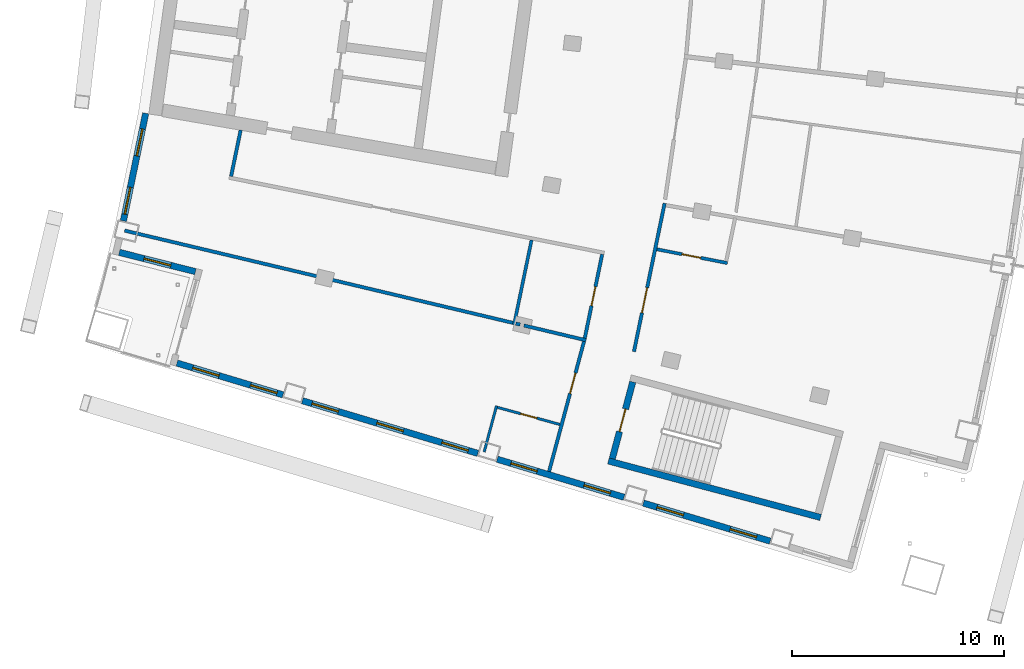
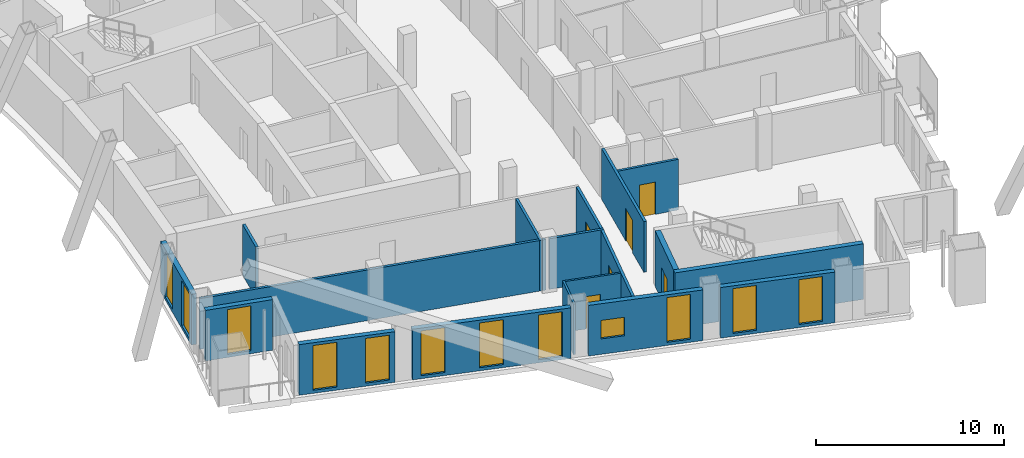
# One storey, part 9 of 19: 19 walls, 12 windows, 6 doors, 18 openings.
"""IFC4 building model written with IfcOpenShell, lengths in metres."""

from ifc_helpers import new_model, si_unit, direction, frame, frame_2d, origin, place, context, subcontext, project, spatial, rectangle, extrude, material, layer, layer_set, type_object, element, fill, save


model = new_model("IFC4")

# Units and contexts
model_context = context("Model", 3, precision=1e-05, world=origin(), true_north=direction((0.0, 1.0)))
body_context = subcontext(model_context, "Body", "Model", "MODEL_VIEW")
ifc_project = project(units=[si_unit("LENGTHUNIT", "METRE"), si_unit("AREAUNIT", "SQUARE_METRE"), si_unit("VOLUMEUNIT", "CUBIC_METRE"), si_unit("PLANEANGLEUNIT", "RADIAN"), si_unit("MASSUNIT", "GRAM", prefix="KILO")], contexts=[model_context])

# Site, building, storey
site_placement = place(None, origin())
site = spatial("IfcSite", under=ifc_project, at=site_placement, CompositionType="ELEMENT")
building_placement = place(site_placement, origin())
building = spatial("IfcBuilding", under=site, at=building_placement, Name="Alderwake Tower", CompositionType="ELEMENT")
storey_placement = place(building_placement, frame((0.0, 0.0, 221.60009765625)))
storey = spatial("IfcBuildingStorey", under=building, at=storey_placement, Name="L55", CompositionType="ELEMENT", Elevation=221.60009765625)

# Wall
ifc_material_1 = material(Name="Concrete C70/85", Category="concrete")
ifc_layer_1 = layer(ifc_material_1, 0.300048828125)
ifc_layer_set_1 = layer_set([ifc_layer_1], Name="Core wall stair enclosure 300 C70-85")
wall_type_1 = type_object("IfcWallType", Name="Core wall stair enclosure 300 C70-85", PredefinedType="SHEAR", material=ifc_layer_set_1)
wall_1_placement = place(storey_placement, frame((36.71142578125, 27.817626953125, 0.0), z_axis=(0.0, 0.0, 1.0), x_axis=(0.966309214305, -0.257383958996, 0.0)))
element("IfcWall", 1, at=wall_1_placement, inside=storey, type_object=wall_type_1, Name="Core wall CW.088", PredefinedType="SHEAR", context=body_context, shape_type="SweptSolid", body=[
    extrude(rectangle(XDim=10.360107421875, YDim=0.300048828125, at=frame_2d((5.18017578125, 0.0))), origin(), (0.0, 0.0, 1.0), 3.599853515625),
])

# Wall, opening, door
wall_2_placement = place(storey_placement, frame((36.89501953125, 27.923828125, 0.0), z_axis=(0.0, 0.0, 1.0), x_axis=(0.257350630826, 0.966318090907, 0.0)))
wall_2 = element("IfcWall", 2, at=wall_2_placement, inside=storey, type_object=wall_type_1, Name="Core wall CW.087", PredefinedType="SHEAR", context=body_context, shape_type="SweptSolid", body=[
    extrude(rectangle(XDim=3.75, YDim=0.300048828125, at=frame_2d((1.875, 0.0))), origin(), (0.0, 0.0, 1.0), 3.599853515625),
])
opening_1_placement = place(wall_2_placement, frame((1.324951171875, 0.0, 0.0)))
opening_1 = element("IfcOpeningElement", 3, at=opening_1_placement, cuts=wall_2, Name="Opening C065", PredefinedType="OPENING", context=body_context, shape_type="SweptSolid", body=[
    extrude(rectangle(XDim=1.10009765625, YDim=2.10009765625, at=frame_2d((0.550048828125, 1.050048828125))), frame((0.0, 0.159912109375, 0.0), z_axis=(0.0, -1.0, 0.0), x_axis=(1.0, 0.0, 0.0)), (0.0, 0.0, 1.0), 0.320068359375),
])
ifc_material_2 = material(Name="Steel-framed fire door leaf", Category="steel")
door_type_1 = type_object("IfcDoorType", Name="Core stair door 1100 fire-rated", OperationType="SINGLE_SWING_LEFT", PredefinedType="DOOR", material=ifc_material_2)
door_1_placement = place(opening_1_placement, origin())
door_1 = element("IfcDoor", 4, at=door_1_placement, inside=storey, type_object=door_type_1, Name="Stair door", OperationType="SINGLE_SWING_RIGHT", OverallHeight=2.10009765625, OverallWidth=1.10009765625, PredefinedType="DOOR", context=body_context, shape_type="SweptSolid", body=[
    extrude(rectangle(XDim=1.10009765625, YDim=2.10009765625, at=frame_2d((0.550048828125, 1.050048828125))), frame((0.0, 0.02490234375, 0.0), z_axis=(0.0, -1.0, 0.0), x_axis=(1.0, 0.0, 0.0)), (0.0, 0.0, 1.0), 0.050048828125),
])
fill(opening_1, door_1)

# Walls
ifc_material_3 = material(Name="Gypsum board on metal studs, rated")
ifc_layer_2 = layer(ifc_material_3, 0.159912109375)
ifc_layer_set_2 = layer_set([ifc_layer_2], Name="Corridor wall 160")
wall_type_2 = type_object("IfcWallType", Name="Corridor wall 160", PredefinedType="PARTITIONING", material=ifc_layer_set_2)
wall_3_placement = place(storey_placement, frame((13.884033203125, 38.68798828125, 0.0), z_axis=(0.0, 0.0, 1.0), x_axis=(0.972897690171, -0.231235993004, 0.0)))
element("IfcWall", 5, at=wall_3_placement, inside=storey, type_object=wall_type_2, Name="WL/L55/W10", PredefinedType="PARTITIONING", context=body_context, shape_type="SweptSolid", body=[
    extrude(rectangle(XDim=18.8271484375, YDim=0.159912109375, at=frame_2d((9.41357421875, 0.0))), origin(), (0.0, 0.0, 1.0), 3.27978515625),
])
wall_4_placement = place(storey_placement, frame((19.35888671875, 43.430908203125, 0.0), z_axis=(0.0, 0.0, 1.0), x_axis=(-0.202554916658, -0.979270905183, 0.0)))
element("IfcWall", 6, at=wall_4_placement, inside=storey, type_object=wall_type_2, Name="WL/L55/W13", PredefinedType="PARTITIONING", context=body_context, shape_type="SweptSolid", body=[
    extrude(rectangle(XDim=2.229736328125, YDim=0.159912109375, at=frame_2d((1.11474609375, 0.0))), origin(), (0.0, 0.0, 1.0), 3.27978515625),
])
wall_5_placement = place(storey_placement, frame((32.343994140625, 34.300048828125, 0.0), z_axis=(0.0, 0.0, 1.0), x_axis=(0.974391195695, -0.224859506699, 0.0)))
element("IfcWall", 7, at=wall_5_placement, inside=storey, type_object=wall_type_2, Name="WL/L55/W15", PredefinedType="PARTITIONING", context=body_context, shape_type="SweptSolid", body=[
    extrude(rectangle(XDim=0.205322265625, YDim=0.159912109375, at=frame_2d((0.1025390625, 0.0))), origin(), (0.0, 0.0, 1.0), 3.27978515625),
])
wall_6_placement = place(storey_placement, frame((32.725341796875, 34.210205078125, 0.0), z_axis=(0.0, 0.0, 1.0), x_axis=(0.972838360224, -0.231485474442, 0.0)))
element("IfcWall", 8, at=wall_6_placement, inside=storey, type_object=wall_type_2, Name="WL/L55/W16", PredefinedType="PARTITIONING", context=body_context, shape_type="SweptSolid", body=[
    extrude(rectangle(XDim=3.01416015625, YDim=0.159912109375, at=frame_2d((1.507080078125, 0.0))), origin(), (0.0, 0.0, 1.0), 3.27978515625),
])

# Wall, opening, door
wall_7_placement = place(storey_placement, frame((33.912109375, 27.321044921875, 0.0), z_axis=(0.0, 0.0, 1.0), x_axis=(0.259370874835, 0.965777794986, 0.0)))
wall_7 = element("IfcWall", 9, at=wall_7_placement, inside=storey, type_object=wall_type_2, Name="WL/L55/W18", PredefinedType="PARTITIONING", context=body_context, shape_type="SweptSolid", body=[
    extrude(rectangle(XDim=6.349853515625, YDim=0.159912109375, at=frame_2d((3.1748046875, 0.0))), origin(), (0.0, 0.0, 1.0), 3.27978515625),
])
opening_2_placement = place(wall_7_placement, frame((3.811279296875, 0.0, 0.0)))
opening_2 = element("IfcOpeningElement", 10, at=opening_2_placement, cuts=wall_7, Name="Opening R16-U09.1", PredefinedType="OPENING", context=body_context, shape_type="SweptSolid", body=[
    extrude(rectangle(XDim=1.0, YDim=2.10009765625, at=frame_2d((0.5, 1.050048828125))), frame((0.0, 0.08984375, 0.0), z_axis=(0.0, -1.0, 0.0), x_axis=(1.0, 0.0, 0.0)), (0.0, 0.0, 1.0), 0.179931640625),
])
ifc_material_4 = material(Name="Solid timber leaf in steel frame", Category="steel")
door_type_2 = type_object("IfcDoorType", Name="Flat entrance door 1000 fire-rated", OperationType="SINGLE_SWING_LEFT", PredefinedType="DOOR", material=ifc_material_4)
door_2_placement = place(opening_2_placement, origin())
door_2 = element("IfcDoor", 11, at=door_2_placement, inside=storey, type_object=door_type_2, Name="DR/L55/U09.1", OperationType="SINGLE_SWING_LEFT", OverallHeight=2.10009765625, OverallWidth=1.0, PredefinedType="DOOR", context=body_context, shape_type="SweptSolid", body=[
    extrude(rectangle(XDim=1.0, YDim=2.10009765625, at=frame_2d((0.5, 1.050048828125))), frame((0.0, 0.02490234375, 0.0), z_axis=(0.0, -1.0, 0.0), x_axis=(1.0, 0.0, 0.0)), (0.0, 0.0, 1.0), 0.050048828125),
])
fill(opening_2, door_2)

wall_8_placement = place(storey_placement, frame((35.59619140625, 33.609375, 0.0), z_axis=(0.0, 0.0, 1.0), x_axis=(0.203245920818, 0.979127721838, 0.0)))
wall_8 = element("IfcWall", 12, at=wall_8_placement, inside=storey, type_object=wall_type_2, Name="WL/L55/W20", PredefinedType="PARTITIONING", context=body_context, shape_type="SweptSolid", body=[
    extrude(rectangle(XDim=4.046875, YDim=0.159912109375, at=frame_2d((2.0234375, 0.0))), origin(), (0.0, 0.0, 1.0), 3.27978515625),
])
opening_3_placement = place(wall_8_placement, frame((1.573486328125, 0.0, 0.0)))
opening_3 = element("IfcOpeningElement", 13, at=opening_3_placement, cuts=wall_8, Name="Opening R16-SBS2", PredefinedType="OPENING", context=body_context, shape_type="SweptSolid", body=[
    extrude(rectangle(XDim=0.89990234375, YDim=2.10009765625, at=frame_2d((0.449951171875, 1.050048828125))), frame((0.0, 0.08984375, 0.0), z_axis=(0.0, -1.0, 0.0), x_axis=(1.0, 0.0, 0.0)), (0.0, 0.0, 1.0), 0.179931640625),
])
ifc_material_5 = material(Name="Painted timber leaf", Category="wood")
door_type_3 = type_object("IfcDoorType", Name="Room door 900", OperationType="SINGLE_SWING_LEFT", PredefinedType="DOOR", material=ifc_material_5)
door_3_placement = place(opening_3_placement, origin())
door_3 = element("IfcDoor", 14, at=door_3_placement, inside=storey, type_object=door_type_3, Name="DR/L55/SBS2", OperationType="SINGLE_SWING_LEFT", OverallHeight=2.10009765625, OverallWidth=0.89990234375, PredefinedType="DOOR", context=body_context, shape_type="SweptSolid", body=[
    extrude(rectangle(XDim=0.89990234375, YDim=2.10009765625, at=frame_2d((0.449951171875, 1.050048828125))), frame((0.0, 0.02490234375, 0.0), z_axis=(0.0, -1.0, 0.0), x_axis=(1.0, 0.0, 0.0)), (0.0, 0.0, 1.0), 0.050048828125),
])
fill(opening_3, door_3)

wall_9_placement = place(storey_placement, frame((39.3642578125, 39.975341796875, 0.0), z_axis=(0.0, 0.0, 1.0), x_axis=(-0.202490391407, -0.979284249535, 0.0)))
wall_9 = element("IfcWall", 15, at=wall_9_placement, inside=storey, type_object=wall_type_2, Name="WL/L55/W22", PredefinedType="PARTITIONING", context=body_context, shape_type="SweptSolid", body=[
    extrude(rectangle(XDim=7.147216796875, YDim=0.159912109375, at=frame_2d((3.57373046875, 0.0))), origin(), (0.0, 0.0, 1.0), 3.27978515625),
])
opening_4_placement = place(wall_9_placement, frame((4.073486328125, 0.0, 0.0)))
opening_4 = element("IfcOpeningElement", 16, at=opening_4_placement, cuts=wall_9, Name="Opening R16-AM1.1", PredefinedType="OPENING", context=body_context, shape_type="SweptSolid", body=[
    extrude(rectangle(XDim=1.199951171875, YDim=2.10009765625, at=frame_2d((0.60009765625, 1.050048828125))), frame((0.0, 0.08984375, 0.0), z_axis=(0.0, -1.0, 0.0), x_axis=(1.0, 0.0, 0.0)), (0.0, 0.0, 1.0), 0.179931640625),
])
ifc_material_6 = material(Name="Steel-framed fire door leaf", Category="steel")
door_type_4 = type_object("IfcDoorType", Name="Lobby door 1200 fire-rated", OperationType="SINGLE_SWING_LEFT", PredefinedType="DOOR", material=ifc_material_6)
door_4_placement = place(opening_4_placement, origin())
door_4 = element("IfcDoor", 17, at=door_4_placement, inside=storey, type_object=door_type_4, Name="DR/L55/AM1.1", OperationType="SINGLE_SWING_LEFT", OverallHeight=2.10009765625, OverallWidth=1.199951171875, PredefinedType="DOOR", context=body_context, shape_type="SweptSolid", body=[
    extrude(rectangle(XDim=1.199951171875, YDim=2.10009765625, at=frame_2d((0.60009765625, 1.050048828125))), frame((0.0, 0.02490234375, 0.0), z_axis=(0.0, -1.0, 0.0), x_axis=(1.0, 0.0, 0.0)), (0.0, 0.0, 1.0), 0.050048828125),
])
fill(opening_4, door_4)

# Wall, openings, windows
ifc_material_7 = material(Name="Precast concrete C50/60 spandrel panel", Category="concrete")
ifc_layer_3 = layer(ifc_material_7, 0.300048828125)
ifc_layer_set_3 = layer_set([ifc_layer_3], Name="External wall EW1 Precast concrete C50/60 spandrel")
wall_type_3 = type_object("IfcWallType", Name="External wall EW1 Precast concrete C50/60 spandrel", PredefinedType="SOLIDWALL", material=ifc_layer_set_3)
wall_10_placement = place(storey_placement, frame((14.878173828125, 44.223388671875, 0.0), z_axis=(0.0, 0.0, 1.0), x_axis=(-0.202730149235, -0.979234643276, 0.0)))
wall_10 = element("IfcWall", 18, at=wall_10_placement, inside=storey, type_object=wall_type_3, Name="External wall 32", PredefinedType="SOLIDWALL", context=body_context, shape_type="SweptSolid", body=[
    extrude(rectangle(XDim=5.185546875, YDim=0.300048828125, at=frame_2d((2.5927734375, 0.0))), origin(), (0.0, 0.0, 1.0), 3.27978515625),
])
opening_5_placement = place(wall_10_placement, frame((0.75634765625, 0.0, 0.199951171875)))
opening_5 = element("IfcOpeningElement", 19, at=opening_5_placement, cuts=wall_10, Name="Opening W1", PredefinedType="OPENING", context=body_context, shape_type="SweptSolid", body=[
    extrude(rectangle(XDim=1.300048828125, YDim=2.89990234375, at=frame_2d((0.64990234375, 1.449951171875))), frame((0.0, 0.159912109375, 0.0), z_axis=(0.0, -1.0, 0.0), x_axis=(1.0, 0.0, 0.0)), (0.0, 0.0, 1.0), 0.320068359375),
])
opening_6_placement = place(wall_10_placement, frame((3.569091796875, 0.0, 0.199951171875)))
opening_6 = element("IfcOpeningElement", 20, at=opening_6_placement, cuts=wall_10, Name="Opening W1", PredefinedType="OPENING", context=body_context, shape_type="SweptSolid", body=[
    extrude(rectangle(XDim=1.300048828125, YDim=2.89990234375, at=frame_2d((0.64990234375, 1.449951171875))), frame((0.0, 0.159912109375, 0.0), z_axis=(0.0, -1.0, 0.0), x_axis=(1.0, 0.0, 0.0)), (0.0, 0.0, 1.0), 0.320068359375),
])
ifc_material_8 = material(Name="Bronze tinted glass in aluminium frame", Category="aluminium")
window_type_1 = type_object("IfcWindowType", Name="Window W1 tall fixed and vent", PartitioningType="DOUBLE_PANEL_VERTICAL", PredefinedType="WINDOW", material=ifc_material_8)
window_1_placement = place(opening_5_placement, origin())
window_1 = element("IfcWindow", 21, at=window_1_placement, inside=storey, type_object=window_type_1, Name="Window W1 tall fixed and vent", OverallHeight=2.89990234375, OverallWidth=1.300048828125, PartitioningType="DOUBLE_PANEL_VERTICAL", PredefinedType="WINDOW", context=body_context, shape_type="SweptSolid", body=[
    extrude(rectangle(XDim=1.300048828125, YDim=2.89990234375, at=frame_2d((0.64990234375, 1.449951171875))), frame((0.0, 0.030029296875, 0.0), z_axis=(0.0, -1.0, 0.0), x_axis=(1.0, 0.0, 0.0)), (0.0, 0.0, 1.0), 0.06005859375),
])
fill(opening_5, window_1)
window_2_placement = place(opening_6_placement, origin())
window_2 = element("IfcWindow", 22, at=window_2_placement, inside=storey, type_object=window_type_1, Name="Window W1 tall fixed and vent", OverallHeight=2.89990234375, OverallWidth=1.300048828125, PartitioningType="DOUBLE_PANEL_VERTICAL", PredefinedType="WINDOW", context=body_context, shape_type="SweptSolid", body=[
    extrude(rectangle(XDim=1.300048828125, YDim=2.89990234375, at=frame_2d((0.64990234375, 1.449951171875))), frame((0.0, 0.030029296875, 0.0), z_axis=(0.0, -1.0, 0.0), x_axis=(1.0, 0.0, 0.0)), (0.0, 0.0, 1.0), 0.06005859375),
])
fill(opening_6, window_2)

# Wall, opening, window
ifc_material_9 = material(Name="Bronze metal cladding on lightweight framing")
ifc_layer_4 = layer(ifc_material_9, 0.300048828125)
ifc_layer_set_4 = layer_set([ifc_layer_4], Name="External wall EW2 bronze metal cladding")
wall_type_4 = type_object("IfcWallType", Name="External wall EW2 bronze metal cladding", PredefinedType="SOLIDWALL", material=ifc_layer_set_4)
wall_11_placement = place(storey_placement, frame((13.633056640625, 37.660400390625, 0.0), z_axis=(0.0, 0.0, 1.0), x_axis=(0.969417366605, -0.245417948254, 0.0)))
wall_11 = element("IfcWall", 23, at=wall_11_placement, inside=storey, type_object=wall_type_4, Name="External wall 2", PredefinedType="SOLIDWALL", context=body_context, shape_type="SweptSolid", body=[
    extrude(rectangle(XDim=3.70556640625, YDim=0.300048828125, at=frame_2d((1.852783203125, 0.0))), origin(), (0.0, 0.0, 1.0), 3.27978515625),
])
opening_7_placement = place(wall_11_placement, frame((1.202880859375, 0.0, 0.199951171875)))
opening_7 = element("IfcOpeningElement", 24, at=opening_7_placement, cuts=wall_11, Name="Opening W1", PredefinedType="OPENING", context=body_context, shape_type="SweptSolid", body=[
    extrude(rectangle(XDim=1.300048828125, YDim=2.89990234375, at=frame_2d((0.64990234375, 1.449951171875))), frame((0.0, 0.159912109375, 0.0), z_axis=(0.0, -1.0, 0.0), x_axis=(1.0, 0.0, 0.0)), (0.0, 0.0, 1.0), 0.320068359375),
])
window_3_placement = place(opening_7_placement, origin())
window_3 = element("IfcWindow", 25, at=window_3_placement, inside=storey, type_object=window_type_1, Name="Window W1 tall fixed and vent", OverallHeight=2.89990234375, OverallWidth=1.300048828125, PartitioningType="DOUBLE_PANEL_VERTICAL", PredefinedType="WINDOW", context=body_context, shape_type="SweptSolid", body=[
    extrude(rectangle(XDim=1.300048828125, YDim=2.89990234375, at=frame_2d((0.64990234375, 1.449951171875))), frame((0.0, 0.030029296875, 0.0), z_axis=(0.0, -1.0, 0.0), x_axis=(1.0, 0.0, 0.0)), (0.0, 0.0, 1.0), 0.06005859375),
])
fill(opening_7, window_3)

# Wall, openings, windows
wall_12_placement = place(storey_placement, frame((16.352783203125, 32.4375, 0.0), z_axis=(0.0, 0.0, 1.0), x_axis=(0.95777225046, -0.287527939944, 0.0)))
wall_12 = element("IfcWall", 26, at=wall_12_placement, inside=storey, type_object=wall_type_4, Name="External wall 4", PredefinedType="SOLIDWALL", context=body_context, shape_type="SweptSolid", body=[
    extrude(rectangle(XDim=5.224609375, YDim=0.300048828125, at=frame_2d((2.6123046875, 0.0))), origin(), (0.0, 0.0, 1.0), 3.27978515625),
])
opening_8_placement = place(wall_12_placement, frame((0.775390625, 0.0, 0.199951171875)))
opening_8 = element("IfcOpeningElement", 27, at=opening_8_placement, cuts=wall_12, Name="Opening W1", PredefinedType="OPENING", context=body_context, shape_type="SweptSolid", body=[
    extrude(rectangle(XDim=1.300048828125, YDim=2.89990234375, at=frame_2d((0.64990234375, 1.449951171875))), frame((0.0, 0.159912109375, 0.0), z_axis=(0.0, -1.0, 0.0), x_axis=(1.0, 0.0, 0.0)), (0.0, 0.0, 1.0), 0.320068359375),
])
opening_9_placement = place(wall_12_placement, frame((3.626220703125, 0.0, 0.199951171875)))
opening_9 = element("IfcOpeningElement", 28, at=opening_9_placement, cuts=wall_12, Name="Opening W1", PredefinedType="OPENING", context=body_context, shape_type="SweptSolid", body=[
    extrude(rectangle(XDim=1.300048828125, YDim=2.89990234375, at=frame_2d((0.64990234375, 1.449951171875))), frame((0.0, 0.159912109375, 0.0), z_axis=(0.0, -1.0, 0.0), x_axis=(1.0, 0.0, 0.0)), (0.0, 0.0, 1.0), 0.320068359375),
])
window_4_placement = place(opening_8_placement, origin())
window_4 = element("IfcWindow", 29, at=window_4_placement, inside=storey, type_object=window_type_1, Name="Window W1 tall fixed and vent", OverallHeight=2.89990234375, OverallWidth=1.300048828125, PartitioningType="DOUBLE_PANEL_VERTICAL", PredefinedType="WINDOW", context=body_context, shape_type="SweptSolid", body=[
    extrude(rectangle(XDim=1.300048828125, YDim=2.89990234375, at=frame_2d((0.64990234375, 1.449951171875))), frame((0.0, 0.030029296875, 0.0), z_axis=(0.0, -1.0, 0.0), x_axis=(1.0, 0.0, 0.0)), (0.0, 0.0, 1.0), 0.06005859375),
])
fill(opening_8, window_4)
window_5_placement = place(opening_9_placement, origin())
window_5 = element("IfcWindow", 30, at=window_5_placement, inside=storey, type_object=window_type_1, Name="Window W1 tall fixed and vent", OverallHeight=2.89990234375, OverallWidth=1.300048828125, PartitioningType="DOUBLE_PANEL_VERTICAL", PredefinedType="WINDOW", context=body_context, shape_type="SweptSolid", body=[
    extrude(rectangle(XDim=1.300048828125, YDim=2.89990234375, at=frame_2d((0.64990234375, 1.449951171875))), frame((0.0, 0.030029296875, 0.0), z_axis=(0.0, -1.0, 0.0), x_axis=(1.0, 0.0, 0.0)), (0.0, 0.0, 1.0), 0.06005859375),
])
fill(opening_9, window_5)

wall_13_placement = place(storey_placement, frame((22.270751953125, 30.660888671875, 0.0), z_axis=(0.0, 0.0, 1.0), x_axis=(0.957767198916, -0.287544766394, 0.0)))
wall_13 = element("IfcWall", 31, at=wall_13_placement, inside=storey, type_object=wall_type_4, Name="External wall 5", PredefinedType="SOLIDWALL", context=body_context, shape_type="SweptSolid", body=[
    extrude(rectangle(XDim=8.64599609375, YDim=0.300048828125, at=frame_2d((4.322998046875, 0.0))), origin(), (0.0, 0.0, 1.0), 3.27978515625),
])
opening_10_placement = place(wall_13_placement, frame((0.472900390625, 0.0, 0.199951171875)))
opening_10 = element("IfcOpeningElement", 32, at=opening_10_placement, cuts=wall_13, Name="Opening W1", PredefinedType="OPENING", context=body_context, shape_type="SweptSolid", body=[
    extrude(rectangle(XDim=1.300048828125, YDim=2.89990234375, at=frame_2d((0.64990234375, 1.449951171875))), frame((0.0, 0.159912109375, 0.0), z_axis=(0.0, -1.0, 0.0), x_axis=(1.0, 0.0, 0.0)), (0.0, 0.0, 1.0), 0.320068359375),
])
opening_11_placement = place(wall_13_placement, frame((3.673095703125, 0.0, 0.199951171875)))
opening_11 = element("IfcOpeningElement", 33, at=opening_11_placement, cuts=wall_13, Name="Opening W1", PredefinedType="OPENING", context=body_context, shape_type="SweptSolid", body=[
    extrude(rectangle(XDim=1.300048828125, YDim=2.89990234375, at=frame_2d((0.64990234375, 1.449951171875))), frame((0.0, 0.159912109375, 0.0), z_axis=(0.0, -1.0, 0.0), x_axis=(1.0, 0.0, 0.0)), (0.0, 0.0, 1.0), 0.320068359375),
])
opening_12_placement = place(wall_13_placement, frame((6.873046875, 0.0, 0.199951171875)))
opening_12 = element("IfcOpeningElement", 34, at=opening_12_placement, cuts=wall_13, Name="Opening W1", PredefinedType="OPENING", context=body_context, shape_type="SweptSolid", body=[
    extrude(rectangle(XDim=1.300048828125, YDim=2.89990234375, at=frame_2d((0.64990234375, 1.449951171875))), frame((0.0, 0.159912109375, 0.0), z_axis=(0.0, -1.0, 0.0), x_axis=(1.0, 0.0, 0.0)), (0.0, 0.0, 1.0), 0.320068359375),
])
window_6_placement = place(opening_10_placement, origin())
window_6 = element("IfcWindow", 35, at=window_6_placement, inside=storey, type_object=window_type_1, Name="Window W1 tall fixed and vent", OverallHeight=2.89990234375, OverallWidth=1.300048828125, PartitioningType="DOUBLE_PANEL_VERTICAL", PredefinedType="WINDOW", context=body_context, shape_type="SweptSolid", body=[
    extrude(rectangle(XDim=1.300048828125, YDim=2.89990234375, at=frame_2d((0.64990234375, 1.449951171875))), frame((0.0, 0.030029296875, 0.0), z_axis=(0.0, -1.0, 0.0), x_axis=(1.0, 0.0, 0.0)), (0.0, 0.0, 1.0), 0.06005859375),
])
fill(opening_10, window_6)
window_7_placement = place(opening_11_placement, origin())
window_7 = element("IfcWindow", 36, at=window_7_placement, inside=storey, type_object=window_type_1, Name="Window W1 tall fixed and vent", OverallHeight=2.89990234375, OverallWidth=1.300048828125, PartitioningType="DOUBLE_PANEL_VERTICAL", PredefinedType="WINDOW", context=body_context, shape_type="SweptSolid", body=[
    extrude(rectangle(XDim=1.300048828125, YDim=2.89990234375, at=frame_2d((0.64990234375, 1.449951171875))), frame((0.0, 0.030029296875, 0.0), z_axis=(0.0, -1.0, 0.0), x_axis=(1.0, 0.0, 0.0)), (0.0, 0.0, 1.0), 0.06005859375),
])
fill(opening_11, window_7)
window_8_placement = place(opening_12_placement, origin())
window_8 = element("IfcWindow", 37, at=window_8_placement, inside=storey, type_object=window_type_1, Name="Window W1 tall fixed and vent", OverallHeight=2.89990234375, OverallWidth=1.300048828125, PartitioningType="DOUBLE_PANEL_VERTICAL", PredefinedType="WINDOW", context=body_context, shape_type="SweptSolid", body=[
    extrude(rectangle(XDim=1.300048828125, YDim=2.89990234375, at=frame_2d((0.64990234375, 1.449951171875))), frame((0.0, 0.030029296875, 0.0), z_axis=(0.0, -1.0, 0.0), x_axis=(1.0, 0.0, 0.0)), (0.0, 0.0, 1.0), 0.06005859375),
])
fill(opening_12, window_8)

wall_14_placement = place(storey_placement, frame((31.465087890625, 27.900390625, 0.0), z_axis=(0.0, 0.0, 1.0), x_axis=(0.95776710022, -0.287545095136, 0.0)))
wall_14 = element("IfcWall", 38, at=wall_14_placement, inside=storey, type_object=wall_type_4, Name="External wall 6", PredefinedType="SOLIDWALL", context=body_context, shape_type="SweptSolid", body=[
    extrude(rectangle(XDim=6.24658203125, YDim=0.300048828125, at=frame_2d((3.123291015625, 0.0))), origin(), (0.0, 0.0, 1.0), 3.27978515625),
])
opening_13_placement = place(wall_14_placement, frame((0.673095703125, 0.0, 1.0)))
opening_13 = element("IfcOpeningElement", 39, at=opening_13_placement, cuts=wall_14, Name="Opening W2", PredefinedType="OPENING", context=body_context, shape_type="SweptSolid", body=[
    extrude(rectangle(XDim=1.300048828125, YDim=1.199951171875, at=frame_2d((0.64990234375, 0.60009765625))), frame((0.0, 0.159912109375, 0.0), z_axis=(0.0, -1.0, 0.0), x_axis=(1.0, 0.0, 0.0)), (0.0, 0.0, 1.0), 0.320068359375),
])
opening_14_placement = place(wall_14_placement, frame((4.273193359375, 0.0, 0.199951171875)))
opening_14 = element("IfcOpeningElement", 40, at=opening_14_placement, cuts=wall_14, Name="Opening W1", PredefinedType="OPENING", context=body_context, shape_type="SweptSolid", body=[
    extrude(rectangle(XDim=1.300048828125, YDim=2.89990234375, at=frame_2d((0.64990234375, 1.449951171875))), frame((0.0, 0.159912109375, 0.0), z_axis=(0.0, -1.0, 0.0), x_axis=(1.0, 0.0, 0.0)), (0.0, 0.0, 1.0), 0.320068359375),
])
window_9_placement = place(opening_14_placement, origin())
window_9 = element("IfcWindow", 41, at=window_9_placement, inside=storey, type_object=window_type_1, Name="Window W1 tall fixed and vent", OverallHeight=2.89990234375, OverallWidth=1.300048828125, PartitioningType="DOUBLE_PANEL_VERTICAL", PredefinedType="WINDOW", context=body_context, shape_type="SweptSolid", body=[
    extrude(rectangle(XDim=1.300048828125, YDim=2.89990234375, at=frame_2d((0.64990234375, 1.449951171875))), frame((0.0, 0.030029296875, 0.0), z_axis=(0.0, -1.0, 0.0), x_axis=(1.0, 0.0, 0.0)), (0.0, 0.0, 1.0), 0.06005859375),
])
fill(opening_14, window_9)
ifc_material_10 = material(Name="Bronze tinted glass in aluminium frame", Category="aluminium")
window_type_2 = type_object("IfcWindowType", Name="Window W2 kitchen and bath", PartitioningType="SINGLE_PANEL", PredefinedType="WINDOW", material=ifc_material_10)
window_10_placement = place(opening_13_placement, origin())
window_10 = element("IfcWindow", 42, at=window_10_placement, inside=storey, type_object=window_type_2, Name="Window W2 kitchen and bath", OverallHeight=1.199951171875, OverallWidth=1.300048828125, PartitioningType="SINGLE_PANEL", PredefinedType="WINDOW", context=body_context, shape_type="SweptSolid", body=[
    extrude(rectangle(XDim=1.300048828125, YDim=1.199951171875, at=frame_2d((0.64990234375, 0.60009765625))), frame((0.0, 0.030029296875, 0.0), z_axis=(0.0, -1.0, 0.0), x_axis=(1.0, 0.0, 0.0)), (0.0, 0.0, 1.0), 0.06005859375),
])
fill(opening_13, window_10)

wall_15_placement = place(storey_placement, frame((38.361083984375, 25.830078125, 0.0), z_axis=(0.0, 0.0, 1.0), x_axis=(0.95776710022, -0.287545095136, 0.0)))
wall_15 = element("IfcWall", 43, at=wall_15_placement, inside=storey, type_object=wall_type_4, Name="External wall 7", PredefinedType="SOLIDWALL", context=body_context, shape_type="SweptSolid", body=[
    extrude(rectangle(XDim=6.24658203125, YDim=0.300048828125, at=frame_2d((3.123291015625, 0.0))), origin(), (0.0, 0.0, 1.0), 3.27978515625),
])
opening_15_placement = place(wall_15_placement, frame((0.673095703125, 0.0, 0.199951171875)))
opening_15 = element("IfcOpeningElement", 44, at=opening_15_placement, cuts=wall_15, Name="Opening W1", PredefinedType="OPENING", context=body_context, shape_type="SweptSolid", body=[
    extrude(rectangle(XDim=1.300048828125, YDim=2.89990234375, at=frame_2d((0.64990234375, 1.449951171875))), frame((0.0, 0.159912109375, 0.0), z_axis=(0.0, -1.0, 0.0), x_axis=(1.0, 0.0, 0.0)), (0.0, 0.0, 1.0), 0.320068359375),
])
opening_16_placement = place(wall_15_placement, frame((4.273193359375, 0.0, 0.199951171875)))
opening_16 = element("IfcOpeningElement", 45, at=opening_16_placement, cuts=wall_15, Name="Opening W1", PredefinedType="OPENING", context=body_context, shape_type="SweptSolid", body=[
    extrude(rectangle(XDim=1.300048828125, YDim=2.89990234375, at=frame_2d((0.64990234375, 1.449951171875))), frame((0.0, 0.159912109375, 0.0), z_axis=(0.0, -1.0, 0.0), x_axis=(1.0, 0.0, 0.0)), (0.0, 0.0, 1.0), 0.320068359375),
])
window_11_placement = place(opening_15_placement, origin())
window_11 = element("IfcWindow", 46, at=window_11_placement, inside=storey, type_object=window_type_1, Name="Window W1 tall fixed and vent", OverallHeight=2.89990234375, OverallWidth=1.300048828125, PartitioningType="DOUBLE_PANEL_VERTICAL", PredefinedType="WINDOW", context=body_context, shape_type="SweptSolid", body=[
    extrude(rectangle(XDim=1.300048828125, YDim=2.89990234375, at=frame_2d((0.64990234375, 1.449951171875))), frame((0.0, 0.030029296875, 0.0), z_axis=(0.0, -1.0, 0.0), x_axis=(1.0, 0.0, 0.0)), (0.0, 0.0, 1.0), 0.06005859375),
])
fill(opening_15, window_11)
window_12_placement = place(opening_16_placement, origin())
window_12 = element("IfcWindow", 47, at=window_12_placement, inside=storey, type_object=window_type_1, Name="Window W1 tall fixed and vent", OverallHeight=2.89990234375, OverallWidth=1.300048828125, PartitioningType="DOUBLE_PANEL_VERTICAL", PredefinedType="WINDOW", context=body_context, shape_type="SweptSolid", body=[
    extrude(rectangle(XDim=1.300048828125, YDim=2.89990234375, at=frame_2d((0.64990234375, 1.449951171875))), frame((0.0, 0.030029296875, 0.0), z_axis=(0.0, -1.0, 0.0), x_axis=(1.0, 0.0, 0.0)), (0.0, 0.0, 1.0), 0.06005859375),
])
fill(opening_16, window_12)

# Wall
ifc_material_11 = material(Name="Gypsum shaft wall system, rated")
ifc_layer_5 = layer(ifc_material_11, 0.14990234375)
ifc_layer_set_5 = layer_set([ifc_layer_5], Name="Riser and shaft wall 150")
wall_type_5 = type_object("IfcWallType", Name="Riser and shaft wall 150", PredefinedType="PARTITIONING", material=ifc_layer_set_5)
wall_16_placement = place(storey_placement, frame((32.2578125, 34.23876953125, 0.0), z_axis=(0.0, 0.0, 1.0), x_axis=(0.202579923059, 0.979265732462, 0.0)))
element("IfcWall", 48, at=wall_16_placement, inside=storey, type_object=wall_type_5, Name="WL/L55/W06", PredefinedType="PARTITIONING", context=body_context, shape_type="SweptSolid", body=[
    extrude(rectangle(XDim=4.086669921875, YDim=0.14990234375, at=frame_2d((2.04345703125, 0.0))), origin(), (0.0, 0.0, 1.0), 3.27978515625),
])

# Wall, opening, door
wall_17_placement = place(storey_placement, frame((38.99755859375, 37.8056640625, 0.0), z_axis=(0.0, 0.0, 1.0), x_axis=(0.981480367208, -0.191562754169, 0.0)))
wall_17 = element("IfcWall", 49, at=wall_17_placement, inside=storey, type_object=wall_type_5, Name="WL/L55/W08", PredefinedType="PARTITIONING", context=body_context, shape_type="SweptSolid", body=[
    extrude(rectangle(XDim=3.393798828125, YDim=0.14990234375, at=frame_2d((1.69677734375, 0.0))), origin(), (0.0, 0.0, 1.0), 3.27978515625),
])
opening_17_placement = place(wall_17_placement, frame((1.209228515625, 0.0, 0.0)))
opening_17 = element("IfcOpeningElement", 50, at=opening_17_placement, cuts=wall_17, Name="Opening R16-AM1.2", PredefinedType="OPENING", context=body_context, shape_type="SweptSolid", body=[
    extrude(rectangle(XDim=0.89990234375, YDim=2.10009765625, at=frame_2d((0.449951171875, 1.050048828125))), frame((0.0, 0.0849609375, 0.0), z_axis=(0.0, -1.0, 0.0), x_axis=(1.0, 0.0, 0.0)), (0.0, 0.0, 1.0), 0.169921875),
])
door_5_placement = place(opening_17_placement, origin())
door_5 = element("IfcDoor", 51, at=door_5_placement, inside=storey, type_object=door_type_3, Name="DR/L55/AM1.2", OperationType="SINGLE_SWING_LEFT", OverallHeight=2.10009765625, OverallWidth=0.89990234375, PredefinedType="DOOR", context=body_context, shape_type="SweptSolid", body=[
    extrude(rectangle(XDim=0.89990234375, YDim=2.10009765625, at=frame_2d((0.449951171875, 1.050048828125))), frame((0.0, 0.02490234375, 0.0), z_axis=(0.0, -1.0, 0.0), x_axis=(1.0, 0.0, 0.0)), (0.0, 0.0, 1.0), 0.050048828125),
])
fill(opening_17, door_5)

# Wall
ifc_material_12 = material(Name="Moisture resistant gypsum board on metal studs")
ifc_layer_6 = layer(ifc_material_12, 0.1201171875)
ifc_layer_set_6 = layer_set([ifc_layer_6], Name="Wet room partition 120")
wall_type_6 = type_object("IfcWallType", Name="Wet room partition 120", PredefinedType="PARTITIONING", material=ifc_layer_set_6)
wall_18_placement = place(storey_placement, frame((31.4345703125, 30.4208984375, 0.0), z_axis=(0.0, 0.0, 1.0), x_axis=(-0.259480612243, -0.965748317042, 0.0)))
element("IfcWall", 52, at=wall_18_placement, inside=storey, type_object=wall_type_6, Name="WL/L55/W32", PredefinedType="PARTITIONING", context=body_context, shape_type="SweptSolid", body=[
    extrude(rectangle(XDim=2.25634765625, YDim=0.1201171875, at=frame_2d((1.128173828125, 0.0))), origin(), (0.0, 0.0, 1.0), 3.27978515625),
])

# Wall, opening, door
wall_19_placement = place(storey_placement, frame((34.42578125, 29.5380859375, 0.0), z_axis=(0.0, 0.0, 1.0), x_axis=(-0.964362903476, 0.264583050097, 0.0)))
wall_19 = element("IfcWall", 53, at=wall_19_placement, inside=storey, type_object=wall_type_6, Name="WL/L55/W34", PredefinedType="PARTITIONING", context=body_context, shape_type="SweptSolid", body=[
    extrude(rectangle(XDim=3.057861328125, YDim=0.1201171875, at=frame_2d((1.52880859375, 0.0))), origin(), (0.0, 0.0, 1.0), 3.27978515625),
])
opening_18_placement = place(wall_19_placement, frame((1.12890625, 0.0, 0.0)))
opening_18 = element("IfcOpeningElement", 54, at=opening_18_placement, cuts=wall_19, Name="Opening R16-U09.2", PredefinedType="OPENING", context=body_context, shape_type="SweptSolid", body=[
    extrude(rectangle(XDim=0.800048828125, YDim=2.10009765625, at=frame_2d((0.39990234375, 1.050048828125))), frame((0.0, 0.070068359375, 0.0), z_axis=(0.0, -1.0, 0.0), x_axis=(1.0, 0.0, 0.0)), (0.0, 0.0, 1.0), 0.14013671875),
])
ifc_material_13 = material(Name="Painted timber leaf", Category="wood")
door_type_5 = type_object("IfcDoorType", Name="Bathroom door 800", OperationType="SINGLE_SWING_LEFT", PredefinedType="DOOR", material=ifc_material_13)
door_6_placement = place(opening_18_placement, origin())
door_6 = element("IfcDoor", 55, at=door_6_placement, inside=storey, type_object=door_type_5, Name="DR/L55/U09.2", OperationType="SINGLE_SWING_LEFT", OverallHeight=2.10009765625, OverallWidth=0.800048828125, PredefinedType="DOOR", context=body_context, shape_type="SweptSolid", body=[
    extrude(rectangle(XDim=0.800048828125, YDim=2.10009765625, at=frame_2d((0.39990234375, 1.050048828125))), frame((0.0, 0.02490234375, 0.0), z_axis=(0.0, -1.0, 0.0), x_axis=(1.0, 0.0, 0.0)), (0.0, 0.0, 1.0), 0.050048828125),
])
fill(opening_18, door_6)

save(model, "model.ifc")
